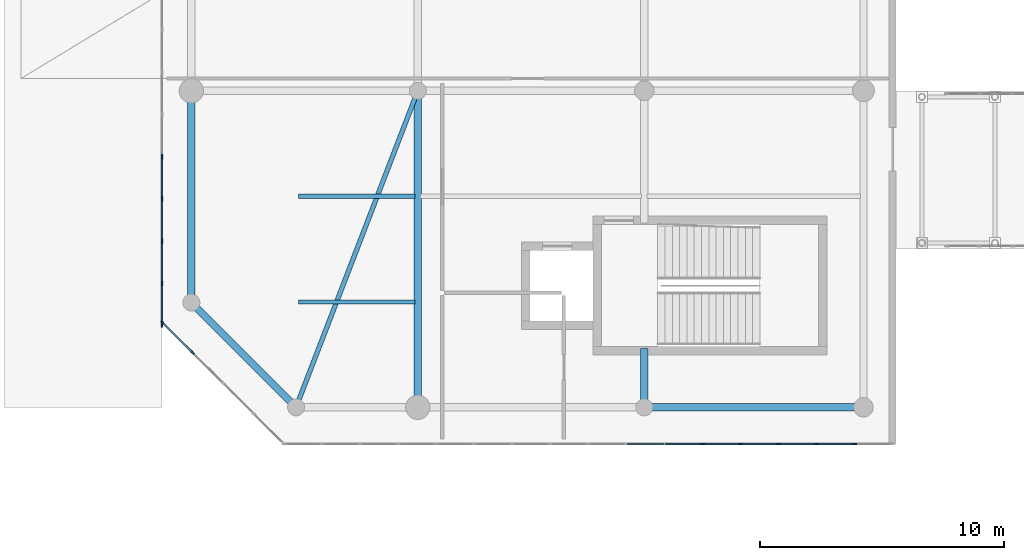
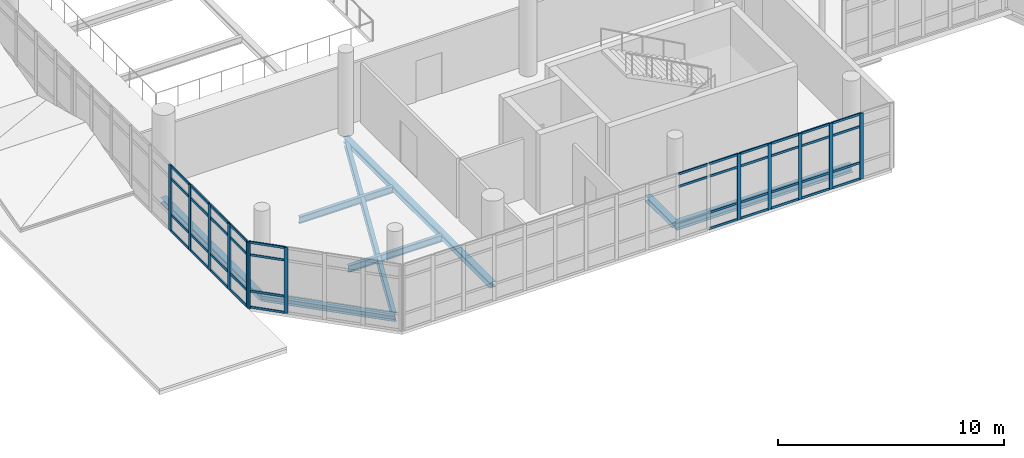
# One storey, part 26 of 134: 54 members, 8 beams, 3 elements without a shape of their own.
"""IFC4 building model written with IfcOpenShell, lengths in metres."""

from ifc_helpers import new_model, si_unit, direction, frame, origin, origin_2d, place, context, subcontext, project, spatial, rectangle, i_section, extrude, material, layer, layer_set, material_profile, profile_set, type_object, element, aggregate, save


model = new_model("IFC4")

# Units and contexts
model_context = context("Model", 3, precision=1e-05, world=origin(), true_north=direction((0.0, 1.0)))
body_context = subcontext(model_context, "Body", "Model", "MODEL_VIEW")
ifc_project = project(units=[si_unit("LENGTHUNIT", "METRE"), si_unit("AREAUNIT", "SQUARE_METRE"), si_unit("VOLUMEUNIT", "CUBIC_METRE"), si_unit("PLANEANGLEUNIT", "RADIAN"), si_unit("MASSUNIT", "GRAM", prefix="KILO")], contexts=[model_context])

# Site, building, storey
site_placement = place(None, origin())
site = spatial("IfcSite", under=ifc_project, at=site_placement, CompositionType="ELEMENT")
building_placement = place(site_placement, origin())
building = spatial("IfcBuilding", under=site, at=building_placement, Name="Sohan Crest Arena", CompositionType="ELEMENT")
storey_placement = place(building_placement, frame((0.0, 0.0, 4.5)))
storey = spatial("IfcBuildingStorey", under=building, at=storey_placement, Name="L01", CompositionType="ELEMENT", Elevation=4.5)

# Curtain wall, members
ifc_material_1 = material(Name="Thermally broken anodised aluminium", Category="aluminium")
ifc_layer_1 = layer(ifc_material_1, 0.199951171875, Name="Thermally broken anodised aluminium")
ifc_layer_set_1 = layer_set([ifc_layer_1], Name="Thermally broken anodised aluminium")
curtain_wall_type_1 = type_object("IfcCurtainWallType", Name="ARC-CW02", PredefinedType="NOTDEFINED", material=ifc_layer_set_1)
curtain_wall_1_placement = place(storey_placement, origin())
curtain_wall_1 = element("IfcCurtainWall", 1, at=curtain_wall_1_placement, inside=storey, type_object=curtain_wall_type_1, Name="Unitised curtain wall CW-206", PredefinedType="NOTDEFINED")
ifc_material_profile_1 = material_profile(ifc_material_1, rectangle(XDim=0.06494140625, YDim=0.179931640625, at=origin_2d()), Name="ALU-MULL 65x180")
ifc_profile_set_1 = profile_set([ifc_material_profile_1], Name="Thermally broken anodised aluminium")
member_type_1 = type_object("IfcMemberType", Name="ARC-CW-ML02", PredefinedType="MULLION", material=ifc_profile_set_1)
member_1_placement = place(storey_placement, frame((36.1875, 50.0, 0.0), z_axis=(0.0, 0.0, 1.0), x_axis=(0.0, 1.0, 0.0)))
member_1 = element("IfcMember", 2, at=member_1_placement, type_object=member_type_1, Name="CW-206 mullion 12", PredefinedType="MULLION", context=body_context, shape_type="SweptSolid", body=[
    extrude(rectangle(XDim=0.06494140625, YDim=0.179931640625, at=origin_2d()), origin(), (0.0, 0.0, 1.0), 3.550048828125),
])
member_2_placement = place(storey_placement, frame((37.75, 50.0, 0.0), z_axis=(0.0, 0.0, 1.0), x_axis=(0.0, 1.0, 0.0)))
member_2 = element("IfcMember", 3, at=member_2_placement, type_object=member_type_1, Name="CW-206 mullion 13", PredefinedType="MULLION", context=body_context, shape_type="SweptSolid", body=[
    extrude(rectangle(XDim=0.06494140625, YDim=0.179931640625, at=origin_2d()), origin(), (0.0, 0.0, 1.0), 3.550048828125),
])
member_3_placement = place(storey_placement, frame((39.3125, 50.0, 0.0), z_axis=(0.0, 0.0, 1.0), x_axis=(0.0, 1.0, 0.0)))
member_3 = element("IfcMember", 4, at=member_3_placement, type_object=member_type_1, Name="CW-206 mullion 14", PredefinedType="MULLION", context=body_context, shape_type="SweptSolid", body=[
    extrude(rectangle(XDim=0.06494140625, YDim=0.179931640625, at=origin_2d()), origin(), (0.0, 0.0, 1.0), 3.550048828125),
])
member_4_placement = place(storey_placement, frame((40.875, 50.0, 0.0), z_axis=(0.0, 0.0, 1.0), x_axis=(0.0, 1.0, 0.0)))
member_4 = element("IfcMember", 5, at=member_4_placement, type_object=member_type_1, Name="CW-206 mullion 15", PredefinedType="MULLION", context=body_context, shape_type="SweptSolid", body=[
    extrude(rectangle(XDim=0.06494140625, YDim=0.179931640625, at=origin_2d()), origin(), (0.0, 0.0, 1.0), 3.550048828125),
])
member_5_placement = place(storey_placement, frame((42.4375, 50.0, 0.0), z_axis=(0.0, 0.0, 1.0), x_axis=(0.0, 1.0, 0.0)))
member_5 = element("IfcMember", 6, at=member_5_placement, type_object=member_type_1, Name="CW-206 mullion 16", PredefinedType="MULLION", context=body_context, shape_type="SweptSolid", body=[
    extrude(rectangle(XDim=0.06494140625, YDim=0.179931640625, at=origin_2d()), origin(), (0.0, 0.0, 1.0), 3.550048828125),
])

curtain_wall_2_placement = place(storey_placement, origin())
curtain_wall_2 = element("IfcCurtainWall", 7, at=curtain_wall_2_placement, inside=storey, type_object=curtain_wall_type_1, Name="Unitised curtain wall CW-212", PredefinedType="NOTDEFINED")
member_6_placement = place(storey_placement, frame((14.02294921875, 54.97705078125, 0.0), z_axis=(0.0, 0.0, 1.0), x_axis=(0.707106781187, 0.707106781187, 0.0)))
member_6 = element("IfcMember", 8, at=member_6_placement, type_object=member_type_1, Name="CW-212 mullion 1", PredefinedType="MULLION", context=body_context, shape_type="SweptSolid", body=[
    extrude(rectangle(XDim=0.06494140625, YDim=0.179931640625, at=origin_2d()), origin(), (0.0, 0.0, 1.0), 3.550048828125),
])
member_7_placement = place(storey_placement, frame((15.25, 53.75, 0.0), z_axis=(0.0, 0.0, 1.0), x_axis=(0.707106781187, 0.707106781187, 0.0)))
member_7 = element("IfcMember", 9, at=member_7_placement, type_object=member_type_1, Name="CW-212 mullion 2", PredefinedType="MULLION", context=body_context, shape_type="SweptSolid", body=[
    extrude(rectangle(XDim=0.06494140625, YDim=0.179931640625, at=origin_2d()), origin(), (0.0, 0.0, 1.0), 3.550048828125),
])

ifc_layer_2 = layer(ifc_material_1, 0.219970703125, Name="Thermally broken anodised aluminium")
ifc_layer_set_2 = layer_set([ifc_layer_2], Name="Thermally broken anodised aluminium")
curtain_wall_type_2 = type_object("IfcCurtainWallType", Name="ARC-CW03", PredefinedType="NOTDEFINED", material=ifc_layer_set_2)
curtain_wall_3_placement = place(storey_placement, origin())
curtain_wall_3 = element("IfcCurtainWall", 10, at=curtain_wall_3_placement, inside=storey, type_object=curtain_wall_type_2, Name="Unitised curtain wall CW-211", PredefinedType="NOTDEFINED")
ifc_material_profile_2 = material_profile(ifc_material_1, rectangle(XDim=0.070068359375, YDim=0.199951171875, at=origin_2d()), Name="ALU-MULL 70x200")
ifc_profile_set_2 = profile_set([ifc_material_profile_2], Name="Thermally broken anodised aluminium")
member_type_2 = type_object("IfcMemberType", Name="ARC-CW-ML03", PredefinedType="MULLION", material=ifc_profile_set_2)
member_8_placement = place(storey_placement, frame((14.0, 61.798095703125, 0.0), z_axis=(0.0, 0.0, 1.0), x_axis=(1.0, 0.0, 0.0)))
member_8 = element("IfcMember", 11, at=member_8_placement, type_object=member_type_2, Name="CW-211 mullion 6", PredefinedType="MULLION", context=body_context, shape_type="SweptSolid", body=[
    extrude(rectangle(XDim=0.070068359375, YDim=0.199951171875, at=origin_2d()), origin(), (0.0, 0.0, 1.0), 3.550048828125),
])
member_9_placement = place(storey_placement, frame((14.0, 60.06103515625, 0.0), z_axis=(0.0, 0.0, 1.0), x_axis=(1.0, 0.0, 0.0)))
member_9 = element("IfcMember", 12, at=member_9_placement, type_object=member_type_2, Name="CW-211 mullion 7", PredefinedType="MULLION", context=body_context, shape_type="SweptSolid", body=[
    extrude(rectangle(XDim=0.070068359375, YDim=0.199951171875, at=origin_2d()), origin(), (0.0, 0.0, 1.0), 3.550048828125),
])
member_10_placement = place(storey_placement, frame((14.0, 58.323974609375, 0.0), z_axis=(0.0, 0.0, 1.0), x_axis=(1.0, 0.0, 0.0)))
member_10 = element("IfcMember", 13, at=member_10_placement, type_object=member_type_2, Name="CW-211 mullion 8", PredefinedType="MULLION", context=body_context, shape_type="SweptSolid", body=[
    extrude(rectangle(XDim=0.070068359375, YDim=0.199951171875, at=origin_2d()), origin(), (0.0, 0.0, 1.0), 3.550048828125),
])
member_11_placement = place(storey_placement, frame((14.0, 56.5869140625, 0.0), z_axis=(0.0, 0.0, 1.0), x_axis=(1.0, 0.0, 0.0)))
member_11 = element("IfcMember", 14, at=member_11_placement, type_object=member_type_2, Name="CW-211 mullion 9", PredefinedType="MULLION", context=body_context, shape_type="SweptSolid", body=[
    extrude(rectangle(XDim=0.070068359375, YDim=0.199951171875, at=origin_2d()), origin(), (0.0, 0.0, 1.0), 3.550048828125),
])
member_12_placement = place(storey_placement, frame((14.0, 54.885009765625, 0.0), z_axis=(0.0, 0.0, 1.0), x_axis=(1.0, 0.0, 0.0)))
member_12 = element("IfcMember", 15, at=member_12_placement, type_object=member_type_2, Name="CW-211 mullion 10", PredefinedType="MULLION", context=body_context, shape_type="SweptSolid", body=[
    extrude(rectangle(XDim=0.070068359375, YDim=0.199951171875, at=origin_2d()), origin(), (0.0, 0.0, 1.0), 3.550048828125),
])

# Member
ifc_material_profile_3 = material_profile(ifc_material_1, rectangle(XDim=0.06005859375, YDim=0.1201171875, at=origin_2d()), Name="ALU-TRAN 60x120")
ifc_profile_set_3 = profile_set([ifc_material_profile_3], Name="Thermally broken anodised aluminium")
member_type_3 = type_object("IfcMemberType", Name="ARC-CW-TR01", PredefinedType="USERDEFINED", material=ifc_profile_set_3)
member_13_placement = place(storey_placement, frame((33.094970703125, 50.0, 2.85009765625), z_axis=(1.0, 0.0, 0.0), x_axis=(0.0, 1.0, 0.0)))
member_13 = element("IfcMember", 16, at=member_13_placement, type_object=member_type_3, Name="CW-206 transom 10.3", ObjectType="TRANSOM", PredefinedType="USERDEFINED", context=body_context, shape_type="SweptSolid", body=[
    extrude(rectangle(XDim=0.06005859375, YDim=0.1201171875, at=origin_2d()), origin(), (0.0, 0.0, 1.0), 1.49755859375),
])

member_14_placement = place(storey_placement, frame((33.094970703125, 50.0, 3.52001953125), z_axis=(1.0, 0.0, 0.0), x_axis=(0.0, 1.0, 0.0)))
member_14 = element("IfcMember", 17, at=member_14_placement, type_object=member_type_3, Name="CW-206 transom 10.4", ObjectType="TRANSOM", PredefinedType="USERDEFINED", context=body_context, shape_type="SweptSolid", body=[
    extrude(rectangle(XDim=0.06005859375, YDim=0.1201171875, at=origin_2d()), origin(), (0.0, 0.0, 1.0), 1.49755859375),
])

member_15_placement = place(storey_placement, frame((34.657470703125, 50.0, 0.030029296875), z_axis=(1.0, 0.0, 0.0), x_axis=(0.0, 1.0, 0.0)))
member_15 = element("IfcMember", 18, at=member_15_placement, type_object=member_type_3, Name="CW-206 transom 11.1", ObjectType="TRANSOM", PredefinedType="USERDEFINED", context=body_context, shape_type="SweptSolid", body=[
    extrude(rectangle(XDim=0.06005859375, YDim=0.1201171875, at=origin_2d()), origin(), (0.0, 0.0, 1.0), 1.49755859375),
])

member_16_placement = place(storey_placement, frame((34.657470703125, 50.0, 0.89990234375), z_axis=(1.0, 0.0, 0.0), x_axis=(0.0, 1.0, 0.0)))
member_16 = element("IfcMember", 19, at=member_16_placement, type_object=member_type_3, Name="CW-206 transom 11.2", ObjectType="TRANSOM", PredefinedType="USERDEFINED", context=body_context, shape_type="SweptSolid", body=[
    extrude(rectangle(XDim=0.06005859375, YDim=0.1201171875, at=origin_2d()), origin(), (0.0, 0.0, 1.0), 1.49755859375),
])

member_17_placement = place(storey_placement, frame((34.657470703125, 50.0, 2.85009765625), z_axis=(1.0, 0.0, 0.0), x_axis=(0.0, 1.0, 0.0)))
member_17 = element("IfcMember", 20, at=member_17_placement, type_object=member_type_3, Name="CW-206 transom 11.3", ObjectType="TRANSOM", PredefinedType="USERDEFINED", context=body_context, shape_type="SweptSolid", body=[
    extrude(rectangle(XDim=0.06005859375, YDim=0.1201171875, at=origin_2d()), origin(), (0.0, 0.0, 1.0), 1.49755859375),
])

member_18_placement = place(storey_placement, frame((34.657470703125, 50.0, 3.52001953125), z_axis=(1.0, 0.0, 0.0), x_axis=(0.0, 1.0, 0.0)))
member_18 = element("IfcMember", 21, at=member_18_placement, type_object=member_type_3, Name="CW-206 transom 11.4", ObjectType="TRANSOM", PredefinedType="USERDEFINED", context=body_context, shape_type="SweptSolid", body=[
    extrude(rectangle(XDim=0.06005859375, YDim=0.1201171875, at=origin_2d()), origin(), (0.0, 0.0, 1.0), 1.49755859375),
])

member_19_placement = place(storey_placement, frame((36.219970703125, 50.0, 0.030029296875), z_axis=(1.0, 0.0, 0.0), x_axis=(0.0, 1.0, 0.0)))
member_19 = element("IfcMember", 22, at=member_19_placement, type_object=member_type_3, Name="CW-206 transom 12.1", ObjectType="TRANSOM", PredefinedType="USERDEFINED", context=body_context, shape_type="SweptSolid", body=[
    extrude(rectangle(XDim=0.06005859375, YDim=0.1201171875, at=origin_2d()), origin(), (0.0, 0.0, 1.0), 1.49755859375),
])

member_20_placement = place(storey_placement, frame((36.219970703125, 50.0, 0.89990234375), z_axis=(1.0, 0.0, 0.0), x_axis=(0.0, 1.0, 0.0)))
member_20 = element("IfcMember", 23, at=member_20_placement, type_object=member_type_3, Name="CW-206 transom 12.2", ObjectType="TRANSOM", PredefinedType="USERDEFINED", context=body_context, shape_type="SweptSolid", body=[
    extrude(rectangle(XDim=0.06005859375, YDim=0.1201171875, at=origin_2d()), origin(), (0.0, 0.0, 1.0), 1.49755859375),
])

member_21_placement = place(storey_placement, frame((36.219970703125, 50.0, 2.85009765625), z_axis=(1.0, 0.0, 0.0), x_axis=(0.0, 1.0, 0.0)))
member_21 = element("IfcMember", 24, at=member_21_placement, type_object=member_type_3, Name="CW-206 transom 12.3", ObjectType="TRANSOM", PredefinedType="USERDEFINED", context=body_context, shape_type="SweptSolid", body=[
    extrude(rectangle(XDim=0.06005859375, YDim=0.1201171875, at=origin_2d()), origin(), (0.0, 0.0, 1.0), 1.49755859375),
])

member_22_placement = place(storey_placement, frame((36.219970703125, 50.0, 3.52001953125), z_axis=(1.0, 0.0, 0.0), x_axis=(0.0, 1.0, 0.0)))
member_22 = element("IfcMember", 25, at=member_22_placement, type_object=member_type_3, Name="CW-206 transom 12.4", ObjectType="TRANSOM", PredefinedType="USERDEFINED", context=body_context, shape_type="SweptSolid", body=[
    extrude(rectangle(XDim=0.06005859375, YDim=0.1201171875, at=origin_2d()), origin(), (0.0, 0.0, 1.0), 1.49755859375),
])

member_23_placement = place(storey_placement, frame((37.782470703125, 50.0, 0.030029296875), z_axis=(1.0, 0.0, 0.0), x_axis=(0.0, 1.0, 0.0)))
member_23 = element("IfcMember", 26, at=member_23_placement, type_object=member_type_3, Name="CW-206 transom 13.1", ObjectType="TRANSOM", PredefinedType="USERDEFINED", context=body_context, shape_type="SweptSolid", body=[
    extrude(rectangle(XDim=0.06005859375, YDim=0.1201171875, at=origin_2d()), origin(), (0.0, 0.0, 1.0), 1.49755859375),
])

member_24_placement = place(storey_placement, frame((37.782470703125, 50.0, 0.89990234375), z_axis=(1.0, 0.0, 0.0), x_axis=(0.0, 1.0, 0.0)))
member_24 = element("IfcMember", 27, at=member_24_placement, type_object=member_type_3, Name="CW-206 transom 13.2", ObjectType="TRANSOM", PredefinedType="USERDEFINED", context=body_context, shape_type="SweptSolid", body=[
    extrude(rectangle(XDim=0.06005859375, YDim=0.1201171875, at=origin_2d()), origin(), (0.0, 0.0, 1.0), 1.49755859375),
])

member_25_placement = place(storey_placement, frame((37.782470703125, 50.0, 2.85009765625), z_axis=(1.0, 0.0, 0.0), x_axis=(0.0, 1.0, 0.0)))
member_25 = element("IfcMember", 28, at=member_25_placement, type_object=member_type_3, Name="CW-206 transom 13.3", ObjectType="TRANSOM", PredefinedType="USERDEFINED", context=body_context, shape_type="SweptSolid", body=[
    extrude(rectangle(XDim=0.06005859375, YDim=0.1201171875, at=origin_2d()), origin(), (0.0, 0.0, 1.0), 1.49755859375),
])

member_26_placement = place(storey_placement, frame((37.782470703125, 50.0, 3.52001953125), z_axis=(1.0, 0.0, 0.0), x_axis=(0.0, 1.0, 0.0)))
member_26 = element("IfcMember", 29, at=member_26_placement, type_object=member_type_3, Name="CW-206 transom 13.4", ObjectType="TRANSOM", PredefinedType="USERDEFINED", context=body_context, shape_type="SweptSolid", body=[
    extrude(rectangle(XDim=0.06005859375, YDim=0.1201171875, at=origin_2d()), origin(), (0.0, 0.0, 1.0), 1.49755859375),
])

member_27_placement = place(storey_placement, frame((39.344970703125, 50.0, 0.030029296875), z_axis=(1.0, 0.0, 0.0), x_axis=(0.0, 1.0, 0.0)))
member_27 = element("IfcMember", 30, at=member_27_placement, type_object=member_type_3, Name="CW-206 transom 14.1", ObjectType="TRANSOM", PredefinedType="USERDEFINED", context=body_context, shape_type="SweptSolid", body=[
    extrude(rectangle(XDim=0.06005859375, YDim=0.1201171875, at=origin_2d()), origin(), (0.0, 0.0, 1.0), 1.49755859375),
])

member_28_placement = place(storey_placement, frame((39.344970703125, 50.0, 0.89990234375), z_axis=(1.0, 0.0, 0.0), x_axis=(0.0, 1.0, 0.0)))
member_28 = element("IfcMember", 31, at=member_28_placement, type_object=member_type_3, Name="CW-206 transom 14.2", ObjectType="TRANSOM", PredefinedType="USERDEFINED", context=body_context, shape_type="SweptSolid", body=[
    extrude(rectangle(XDim=0.06005859375, YDim=0.1201171875, at=origin_2d()), origin(), (0.0, 0.0, 1.0), 1.49755859375),
])

member_29_placement = place(storey_placement, frame((39.344970703125, 50.0, 2.85009765625), z_axis=(1.0, 0.0, 0.0), x_axis=(0.0, 1.0, 0.0)))
member_29 = element("IfcMember", 32, at=member_29_placement, type_object=member_type_3, Name="CW-206 transom 14.3", ObjectType="TRANSOM", PredefinedType="USERDEFINED", context=body_context, shape_type="SweptSolid", body=[
    extrude(rectangle(XDim=0.06005859375, YDim=0.1201171875, at=origin_2d()), origin(), (0.0, 0.0, 1.0), 1.49755859375),
])

member_30_placement = place(storey_placement, frame((39.344970703125, 50.0, 3.52001953125), z_axis=(1.0, 0.0, 0.0), x_axis=(0.0, 1.0, 0.0)))
member_30 = element("IfcMember", 33, at=member_30_placement, type_object=member_type_3, Name="CW-206 transom 14.4", ObjectType="TRANSOM", PredefinedType="USERDEFINED", context=body_context, shape_type="SweptSolid", body=[
    extrude(rectangle(XDim=0.06005859375, YDim=0.1201171875, at=origin_2d()), origin(), (0.0, 0.0, 1.0), 1.49755859375),
])

member_31_placement = place(storey_placement, frame((40.907470703125, 50.0, 0.030029296875), z_axis=(1.0, 0.0, 0.0), x_axis=(0.0, 1.0, 0.0)))
member_31 = element("IfcMember", 34, at=member_31_placement, type_object=member_type_3, Name="CW-206 transom 15.1", ObjectType="TRANSOM", PredefinedType="USERDEFINED", context=body_context, shape_type="SweptSolid", body=[
    extrude(rectangle(XDim=0.06005859375, YDim=0.1201171875, at=origin_2d()), origin(), (0.0, 0.0, 1.0), 1.49755859375),
])

member_32_placement = place(storey_placement, frame((40.907470703125, 50.0, 0.89990234375), z_axis=(1.0, 0.0, 0.0), x_axis=(0.0, 1.0, 0.0)))
member_32 = element("IfcMember", 35, at=member_32_placement, type_object=member_type_3, Name="CW-206 transom 15.2", ObjectType="TRANSOM", PredefinedType="USERDEFINED", context=body_context, shape_type="SweptSolid", body=[
    extrude(rectangle(XDim=0.06005859375, YDim=0.1201171875, at=origin_2d()), origin(), (0.0, 0.0, 1.0), 1.49755859375),
])

member_33_placement = place(storey_placement, frame((40.907470703125, 50.0, 2.85009765625), z_axis=(1.0, 0.0, 0.0), x_axis=(0.0, 1.0, 0.0)))
member_33 = element("IfcMember", 36, at=member_33_placement, type_object=member_type_3, Name="CW-206 transom 15.3", ObjectType="TRANSOM", PredefinedType="USERDEFINED", context=body_context, shape_type="SweptSolid", body=[
    extrude(rectangle(XDim=0.06005859375, YDim=0.1201171875, at=origin_2d()), origin(), (0.0, 0.0, 1.0), 1.49755859375),
])

member_34_placement = place(storey_placement, frame((40.907470703125, 50.0, 3.52001953125), z_axis=(1.0, 0.0, 0.0), x_axis=(0.0, 1.0, 0.0)))
member_34 = element("IfcMember", 37, at=member_34_placement, type_object=member_type_3, Name="CW-206 transom 15.4", ObjectType="TRANSOM", PredefinedType="USERDEFINED", context=body_context, shape_type="SweptSolid", body=[
    extrude(rectangle(XDim=0.06005859375, YDim=0.1201171875, at=origin_2d()), origin(), (0.0, 0.0, 1.0), 1.49755859375),
])

aggregate(curtain_wall_1, [member_1, member_2, member_3, member_4, member_5, member_13, member_14, member_15, member_16, member_17, member_18, member_19, member_20, member_21, member_22, member_23, member_24, member_25, member_26, member_27, member_28, member_29, member_30, member_31, member_32, member_33, member_34])

member_35_placement = place(storey_placement, frame((14.0458984375, 54.9541015625, 0.030029296875), z_axis=(0.707106781187, -0.707106781187, 0.0), x_axis=(0.707106781187, 0.707106781187, 0.0)))
member_35 = element("IfcMember", 38, at=member_35_placement, type_object=member_type_3, Name="CW-212 transom 1.1", ObjectType="TRANSOM", PredefinedType="USERDEFINED", context=body_context, shape_type="SweptSolid", body=[
    extrude(rectangle(XDim=0.06005859375, YDim=0.1201171875, at=origin_2d()), origin(), (0.0, 0.0, 1.0), 1.67041015625),
])

member_36_placement = place(storey_placement, frame((14.0458984375, 54.9541015625, 0.89990234375), z_axis=(0.707106781187, -0.707106781187, 0.0), x_axis=(0.707106781187, 0.707106781187, 0.0)))
member_36 = element("IfcMember", 39, at=member_36_placement, type_object=member_type_3, Name="CW-212 transom 1.2", ObjectType="TRANSOM", PredefinedType="USERDEFINED", context=body_context, shape_type="SweptSolid", body=[
    extrude(rectangle(XDim=0.06005859375, YDim=0.1201171875, at=origin_2d()), origin(), (0.0, 0.0, 1.0), 1.67041015625),
])

member_37_placement = place(storey_placement, frame((14.0458984375, 54.9541015625, 2.85009765625), z_axis=(0.707106781187, -0.707106781187, 0.0), x_axis=(0.707106781187, 0.707106781187, 0.0)))
member_37 = element("IfcMember", 40, at=member_37_placement, type_object=member_type_3, Name="CW-212 transom 1.3", ObjectType="TRANSOM", PredefinedType="USERDEFINED", context=body_context, shape_type="SweptSolid", body=[
    extrude(rectangle(XDim=0.06005859375, YDim=0.1201171875, at=origin_2d()), origin(), (0.0, 0.0, 1.0), 1.67041015625),
])

member_38_placement = place(storey_placement, frame((14.0458984375, 54.9541015625, 3.52001953125), z_axis=(0.707106781187, -0.707106781187, 0.0), x_axis=(0.707106781187, 0.707106781187, 0.0)))
member_38 = element("IfcMember", 41, at=member_38_placement, type_object=member_type_3, Name="CW-212 transom 1.4", ObjectType="TRANSOM", PredefinedType="USERDEFINED", context=body_context, shape_type="SweptSolid", body=[
    extrude(rectangle(XDim=0.06005859375, YDim=0.1201171875, at=origin_2d()), origin(), (0.0, 0.0, 1.0), 1.67041015625),
])

aggregate(curtain_wall_2, [member_6, member_7, member_35, member_36, member_37, member_38])

ifc_material_profile_4 = material_profile(ifc_material_1, rectangle(XDim=0.06494140625, YDim=0.139892578125, at=origin_2d()), Name="ALU-TRAN 65x140")
ifc_profile_set_4 = profile_set([ifc_material_profile_4], Name="Thermally broken anodised aluminium")
member_type_4 = type_object("IfcMemberType", Name="ARC-CW-TR02", PredefinedType="USERDEFINED", material=ifc_profile_set_4)
member_39_placement = place(storey_placement, frame((14.0, 61.762939453125, 0.032470703125), z_axis=(0.0, -1.0, 0.0), x_axis=(1.0, 0.0, 0.0)))
member_39 = element("IfcMember", 42, at=member_39_placement, type_object=member_type_4, Name="CW-211 transom 6.1", ObjectType="TRANSOM", PredefinedType="USERDEFINED", context=body_context, shape_type="SweptSolid", body=[
    extrude(rectangle(XDim=0.06494140625, YDim=0.139892578125, at=origin_2d()), origin(), (0.0, 0.0, 1.0), 1.6669921875),
])

member_40_placement = place(storey_placement, frame((14.0, 61.762939453125, 0.89990234375), z_axis=(0.0, -1.0, 0.0), x_axis=(1.0, 0.0, 0.0)))
member_40 = element("IfcMember", 43, at=member_40_placement, type_object=member_type_4, Name="CW-211 transom 6.2", ObjectType="TRANSOM", PredefinedType="USERDEFINED", context=body_context, shape_type="SweptSolid", body=[
    extrude(rectangle(XDim=0.06494140625, YDim=0.139892578125, at=origin_2d()), origin(), (0.0, 0.0, 1.0), 1.6669921875),
])

member_41_placement = place(storey_placement, frame((14.0, 61.762939453125, 2.85009765625), z_axis=(0.0, -1.0, 0.0), x_axis=(1.0, 0.0, 0.0)))
member_41 = element("IfcMember", 44, at=member_41_placement, type_object=member_type_4, Name="CW-211 transom 6.3", ObjectType="TRANSOM", PredefinedType="USERDEFINED", context=body_context, shape_type="SweptSolid", body=[
    extrude(rectangle(XDim=0.06494140625, YDim=0.139892578125, at=origin_2d()), origin(), (0.0, 0.0, 1.0), 1.6669921875),
])

member_42_placement = place(storey_placement, frame((14.0, 61.762939453125, 3.517578125), z_axis=(0.0, -1.0, 0.0), x_axis=(1.0, 0.0, 0.0)))
member_42 = element("IfcMember", 45, at=member_42_placement, type_object=member_type_4, Name="CW-211 transom 6.4", ObjectType="TRANSOM", PredefinedType="USERDEFINED", context=body_context, shape_type="SweptSolid", body=[
    extrude(rectangle(XDim=0.06494140625, YDim=0.139892578125, at=origin_2d()), origin(), (0.0, 0.0, 1.0), 1.6669921875),
])

member_43_placement = place(storey_placement, frame((14.0, 60.02587890625, 0.032470703125), z_axis=(0.0, -1.0, 0.0), x_axis=(1.0, 0.0, 0.0)))
member_43 = element("IfcMember", 46, at=member_43_placement, type_object=member_type_4, Name="CW-211 transom 7.1", ObjectType="TRANSOM", PredefinedType="USERDEFINED", context=body_context, shape_type="SweptSolid", body=[
    extrude(rectangle(XDim=0.06494140625, YDim=0.139892578125, at=origin_2d()), origin(), (0.0, 0.0, 1.0), 1.6669921875),
])

member_44_placement = place(storey_placement, frame((14.0, 60.02587890625, 0.89990234375), z_axis=(0.0, -1.0, 0.0), x_axis=(1.0, 0.0, 0.0)))
member_44 = element("IfcMember", 47, at=member_44_placement, type_object=member_type_4, Name="CW-211 transom 7.2", ObjectType="TRANSOM", PredefinedType="USERDEFINED", context=body_context, shape_type="SweptSolid", body=[
    extrude(rectangle(XDim=0.06494140625, YDim=0.139892578125, at=origin_2d()), origin(), (0.0, 0.0, 1.0), 1.6669921875),
])

member_45_placement = place(storey_placement, frame((14.0, 60.02587890625, 2.85009765625), z_axis=(0.0, -1.0, 0.0), x_axis=(1.0, 0.0, 0.0)))
member_45 = element("IfcMember", 48, at=member_45_placement, type_object=member_type_4, Name="CW-211 transom 7.3", ObjectType="TRANSOM", PredefinedType="USERDEFINED", context=body_context, shape_type="SweptSolid", body=[
    extrude(rectangle(XDim=0.06494140625, YDim=0.139892578125, at=origin_2d()), origin(), (0.0, 0.0, 1.0), 1.6669921875),
])

member_46_placement = place(storey_placement, frame((14.0, 60.02587890625, 3.517578125), z_axis=(0.0, -1.0, 0.0), x_axis=(1.0, 0.0, 0.0)))
member_46 = element("IfcMember", 49, at=member_46_placement, type_object=member_type_4, Name="CW-211 transom 7.4", ObjectType="TRANSOM", PredefinedType="USERDEFINED", context=body_context, shape_type="SweptSolid", body=[
    extrude(rectangle(XDim=0.06494140625, YDim=0.139892578125, at=origin_2d()), origin(), (0.0, 0.0, 1.0), 1.6669921875),
])

member_47_placement = place(storey_placement, frame((14.0, 58.2890625, 0.032470703125), z_axis=(0.0, -1.0, 0.0), x_axis=(1.0, 0.0, 0.0)))
member_47 = element("IfcMember", 50, at=member_47_placement, type_object=member_type_4, Name="CW-211 transom 8.1", ObjectType="TRANSOM", PredefinedType="USERDEFINED", context=body_context, shape_type="SweptSolid", body=[
    extrude(rectangle(XDim=0.06494140625, YDim=0.139892578125, at=origin_2d()), origin(), (0.0, 0.0, 1.0), 1.6669921875),
])

member_48_placement = place(storey_placement, frame((14.0, 58.2890625, 0.89990234375), z_axis=(0.0, -1.0, 0.0), x_axis=(1.0, 0.0, 0.0)))
member_48 = element("IfcMember", 51, at=member_48_placement, type_object=member_type_4, Name="CW-211 transom 8.2", ObjectType="TRANSOM", PredefinedType="USERDEFINED", context=body_context, shape_type="SweptSolid", body=[
    extrude(rectangle(XDim=0.06494140625, YDim=0.139892578125, at=origin_2d()), origin(), (0.0, 0.0, 1.0), 1.6669921875),
])

member_49_placement = place(storey_placement, frame((14.0, 58.2890625, 2.85009765625), z_axis=(0.0, -1.0, 0.0), x_axis=(1.0, 0.0, 0.0)))
member_49 = element("IfcMember", 52, at=member_49_placement, type_object=member_type_4, Name="CW-211 transom 8.3", ObjectType="TRANSOM", PredefinedType="USERDEFINED", context=body_context, shape_type="SweptSolid", body=[
    extrude(rectangle(XDim=0.06494140625, YDim=0.139892578125, at=origin_2d()), origin(), (0.0, 0.0, 1.0), 1.6669921875),
])

member_50_placement = place(storey_placement, frame((14.0, 58.2890625, 3.517578125), z_axis=(0.0, -1.0, 0.0), x_axis=(1.0, 0.0, 0.0)))
member_50 = element("IfcMember", 53, at=member_50_placement, type_object=member_type_4, Name="CW-211 transom 8.4", ObjectType="TRANSOM", PredefinedType="USERDEFINED", context=body_context, shape_type="SweptSolid", body=[
    extrude(rectangle(XDim=0.06494140625, YDim=0.139892578125, at=origin_2d()), origin(), (0.0, 0.0, 1.0), 1.6669921875),
])

member_51_placement = place(storey_placement, frame((14.0, 56.552001953125, 0.032470703125), z_axis=(0.0, -1.0, 0.0), x_axis=(1.0, 0.0, 0.0)))
member_51 = element("IfcMember", 54, at=member_51_placement, type_object=member_type_4, Name="CW-211 transom 9.1", ObjectType="TRANSOM", PredefinedType="USERDEFINED", context=body_context, shape_type="SweptSolid", body=[
    extrude(rectangle(XDim=0.06494140625, YDim=0.139892578125, at=origin_2d()), origin(), (0.0, 0.0, 1.0), 1.632080078125),
])

member_52_placement = place(storey_placement, frame((14.0, 56.552001953125, 0.89990234375), z_axis=(0.0, -1.0, 0.0), x_axis=(1.0, 0.0, 0.0)))
member_52 = element("IfcMember", 55, at=member_52_placement, type_object=member_type_4, Name="CW-211 transom 9.2", ObjectType="TRANSOM", PredefinedType="USERDEFINED", context=body_context, shape_type="SweptSolid", body=[
    extrude(rectangle(XDim=0.06494140625, YDim=0.139892578125, at=origin_2d()), origin(), (0.0, 0.0, 1.0), 1.632080078125),
])

member_53_placement = place(storey_placement, frame((14.0, 56.552001953125, 2.85009765625), z_axis=(0.0, -1.0, 0.0), x_axis=(1.0, 0.0, 0.0)))
member_53 = element("IfcMember", 56, at=member_53_placement, type_object=member_type_4, Name="CW-211 transom 9.3", ObjectType="TRANSOM", PredefinedType="USERDEFINED", context=body_context, shape_type="SweptSolid", body=[
    extrude(rectangle(XDim=0.06494140625, YDim=0.139892578125, at=origin_2d()), origin(), (0.0, 0.0, 1.0), 1.632080078125),
])

member_54_placement = place(storey_placement, frame((14.0, 56.552001953125, 3.517578125), z_axis=(0.0, -1.0, 0.0), x_axis=(1.0, 0.0, 0.0)))
member_54 = element("IfcMember", 57, at=member_54_placement, type_object=member_type_4, Name="CW-211 transom 9.4", ObjectType="TRANSOM", PredefinedType="USERDEFINED", context=body_context, shape_type="SweptSolid", body=[
    extrude(rectangle(XDim=0.06494140625, YDim=0.139892578125, at=origin_2d()), origin(), (0.0, 0.0, 1.0), 1.632080078125),
])

aggregate(curtain_wall_3, [member_8, member_9, member_10, member_11, member_12, member_39, member_40, member_41, member_42, member_43, member_44, member_45, member_46, member_47, member_48, member_49, member_50, member_51, member_52, member_53, member_54])

# Beams
ifc_material_2 = material(Name="Steel S355", Category="steel")
ifc_material_profile_5 = material_profile(ifc_material_2, i_section(OverallWidth=0.169921875, OverallDepth=0.360107421875, WebThickness=0.008056640625, FlangeThickness=0.0126953125, at=origin_2d()), Name="IPE 360")
ifc_profile_set_5 = profile_set([ifc_material_profile_5], Name="Steel S355")
beam_type_1 = type_object("IfcBeamType", Name="STR-BM-B02", PredefinedType="JOIST", material=ifc_profile_set_5)
for number, where, z_axis, x_axis, name in (
    (58, (19.610107421875, 55.8330078125, -0.389892578125), (1.0, 0.0, 0.0), (0.0, 1.0, 0.0), "Structural beam J-L01-1998"),
    (59, (19.610107421875, 60.1669921875, -0.389892578125), (1.0, 0.0, 0.0), (0.0, 1.0, 0.0), "Structural beam J-L01-1999"),
):
    element("IfcBeam", number, at=place(storey_placement, frame(where, z_axis=z_axis, x_axis=x_axis)), inside=storey, type_object=beam_type_1, Name=name, PredefinedType="JOIST", context=body_context, shape_type="SweptSolid", body=[
        extrude(i_section(OverallWidth=0.169921875, OverallDepth=0.360107421875, WebThickness=0.008056640625, FlangeThickness=0.0126953125, at=origin_2d()), origin(), (0.0, 0.0, 1.0), 4.77978515625),
    ])
ifc_material_profile_6 = material_profile(ifc_material_2, i_section(OverallWidth=0.18994140625, OverallDepth=0.449951171875, WebThickness=0.009521484375, FlangeThickness=0.0146484375, at=origin_2d()), Name="IPE 450")
ifc_profile_set_6 = profile_set([ifc_material_profile_6], Name="Steel S355")
beam_type_2 = type_object("IfcBeamType", Name="STR-BM-B04", PredefinedType="JOIST", material=ifc_profile_set_6)
beam_1_placement = place(storey_placement, frame((19.5390625, 51.60302734375, -0.43505859375), z_axis=(0.359050685685, 0.933318062136, 0.0), x_axis=(-0.933318062136, 0.359050685685, 0.0)))
element("IfcBeam", 60, at=beam_1_placement, inside=storey, type_object=beam_type_2, Name="Structural beam J-L01-2032", PredefinedType="JOIST", context=body_context, shape_type="SweptSolid", body=[
    extrude(i_section(OverallWidth=0.18994140625, OverallDepth=0.449951171875, WebThickness=0.009521484375, FlangeThickness=0.0146484375, at=origin_2d()), origin(), (0.0, 0.0, 1.0), 13.7080078125),
])
ifc_material_profile_7 = material_profile(ifc_material_2, i_section(OverallWidth=0.300048828125, OverallDepth=0.2900390625, WebThickness=0.008544921875, FlangeThickness=0.013916015625, at=origin_2d()), Name="HEA 300")
ifc_profile_set_7 = profile_set([ifc_material_profile_7], Name="Steel S355")
beam_type_3 = type_object("IfcBeamType", Name="STR-BM-B08", PredefinedType="BEAM", material=ifc_profile_set_7)
beam_2_placement = place(storey_placement, frame((15.199951171875, 55.800048828125, -0.35498046875), z_axis=(0.0, 1.0, 0.0), x_axis=(-1.0, 0.0, 0.0)))
element("IfcBeam", 61, at=beam_2_placement, inside=storey, type_object=beam_type_3, Name="Structural beam G-L01-1979", PredefinedType="BEAM", context=body_context, shape_type="SweptSolid", body=[
    extrude(i_section(OverallWidth=0.300048828125, OverallDepth=0.2900390625, WebThickness=0.008544921875, FlangeThickness=0.013916015625, at=origin_2d()), origin(), (0.0, 0.0, 1.0), 8.699951171875),
])
beam_3_placement = place(storey_placement, frame((24.5, 51.5, -0.35498046875), z_axis=(0.0, 1.0, 0.0), x_axis=(-1.0, 0.0, 0.0)))
element("IfcBeam", 62, at=beam_3_placement, inside=storey, type_object=beam_type_3, Name="Structural beam G-L01-1983", PredefinedType="BEAM", context=body_context, shape_type="SweptSolid", body=[
    extrude(i_section(OverallWidth=0.300048828125, OverallDepth=0.2900390625, WebThickness=0.008544921875, FlangeThickness=0.013916015625, at=origin_2d()), origin(), (0.0, 0.0, 1.0), 13.0),
])
beam_4_placement = place(storey_placement, frame((33.800048828125, 51.5, -0.35498046875), z_axis=(0.0, 1.0, 0.0), x_axis=(-1.0, 0.0, 0.0)))
element("IfcBeam", 63, at=beam_4_placement, inside=storey, type_object=beam_type_3, Name="Structural beam G-L01-1987", PredefinedType="BEAM", context=body_context, shape_type="SweptSolid", body=[
    extrude(i_section(OverallWidth=0.300048828125, OverallDepth=0.2900390625, WebThickness=0.008544921875, FlangeThickness=0.013916015625, at=origin_2d()), origin(), (0.0, 0.0, 1.0), 2.419921875),
])
beam_5_placement = place(storey_placement, frame((15.199951171875, 55.800048828125, -0.35498046875), z_axis=(0.707106781187, -0.707106781187, 0.0), x_axis=(0.707106781187, 0.707106781187, 0.0)))
element("IfcBeam", 64, at=beam_5_placement, inside=storey, type_object=beam_type_3, Name="Structural beam G-L01-2030", PredefinedType="BEAM", context=body_context, shape_type="SweptSolid", body=[
    extrude(i_section(OverallWidth=0.300048828125, OverallDepth=0.2900390625, WebThickness=0.008544921875, FlangeThickness=0.013916015625, at=origin_2d()), origin(), (0.0, 0.0, 1.0), 6.081298828125),
])
ifc_material_profile_8 = material_profile(ifc_material_2, i_section(OverallWidth=0.300048828125, OverallDepth=0.389892578125, WebThickness=0.010986328125, FlangeThickness=0.01904296875, at=origin_2d()), Name="HEA 400")
ifc_profile_set_8 = profile_set([ifc_material_profile_8], Name="Steel S355")
beam_type_4 = type_object("IfcBeamType", Name="STR-BM-B09", PredefinedType="BEAM", material=ifc_profile_set_8)
beam_6_placement = place(storey_placement, frame((33.800048828125, 51.5, -0.405029296875), z_axis=(1.0, 0.0, 0.0), x_axis=(0.0, 1.0, 0.0)))
element("IfcBeam", 65, at=beam_6_placement, inside=storey, type_object=beam_type_4, Name="Structural beam G-L01-2002", PredefinedType="BEAM", context=body_context, shape_type="SweptSolid", body=[
    extrude(i_section(OverallWidth=0.300048828125, OverallDepth=0.389892578125, WebThickness=0.010986328125, FlangeThickness=0.01904296875, at=origin_2d()), origin(), (0.0, 0.0, 1.0), 9.0),
])

save(model, "model.ifc")
